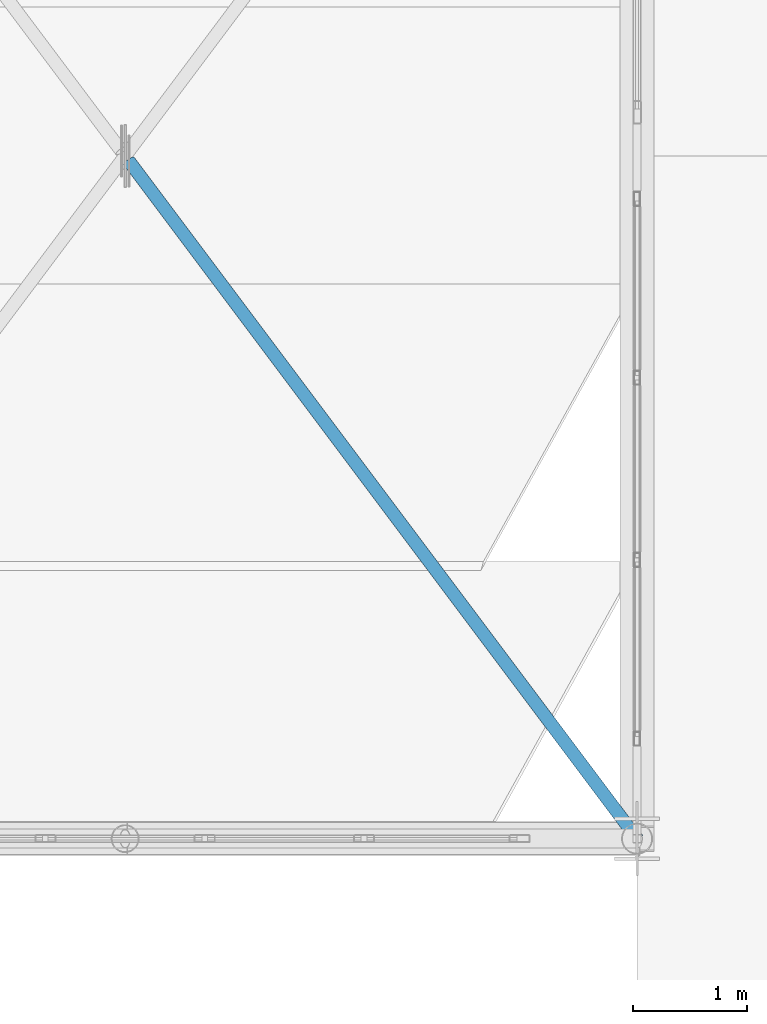
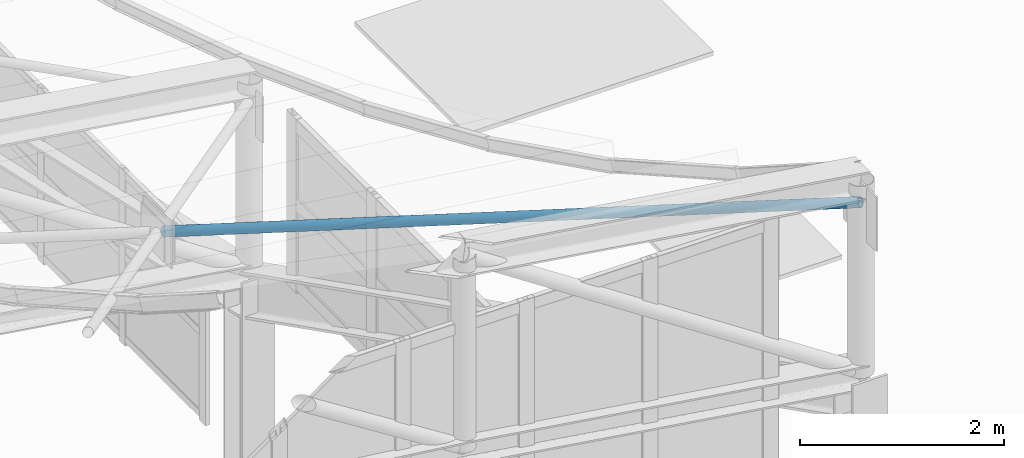
# One storey, part 70 of 262: 1 member.
"""IFC4 building model written with IfcOpenShell, lengths in metres."""

from ifc_helpers import new_model, si_unit, derived_unit, direction, frame, origin, origin_2d, place, context, subcontext, project, spatial, hollow_circle, extrude, material, material_profile, profile_set, type_object, element, save


model = new_model("IFC4")

# Units and contexts
model_context = context("Model", 3, precision=1e-05, world=origin(), true_north=direction((0.0, 1.0)))
body_context = subcontext(model_context, "Body", "Model", "MODEL_VIEW")
ifc_project = project(units=[si_unit("LENGTHUNIT", "METRE"), si_unit("AREAUNIT", "SQUARE_METRE"), si_unit("VOLUMEUNIT", "CUBIC_METRE"), si_unit("PLANEANGLEUNIT", "RADIAN"), si_unit("MASSUNIT", "GRAM", prefix="KILO"), derived_unit("THERMALTRANSMITTANCEUNIT", [(si_unit("POWERUNIT", "WATT"), 1), (si_unit("LENGTHUNIT", "METRE"), -2), (si_unit("THERMODYNAMICTEMPERATUREUNIT", "KELVIN"), -1)])], contexts=[model_context])

# Site, building, storey
site_placement = place(None, origin())
site = spatial("IfcSite", under=ifc_project, at=site_placement, CompositionType="ELEMENT")
building_placement = place(site_placement, origin())
building = spatial("IfcBuilding", under=site, at=building_placement, Name="Almenara Railside Exhibition Hall", CompositionType="ELEMENT")
storey_placement = place(building_placement, frame((0.0, 0.0, 21.699951171875)))
storey = spatial("IfcBuildingStorey", under=building, at=storey_placement, Name="RF", CompositionType="ELEMENT", Elevation=21.699951171875)

# Member
ifc_material = material(Name="Structural steel S355JR", Category="steel")
ifc_material_profile = material_profile(ifc_material, hollow_circle(Radius=0.05712890625, WallThickness=0.00439453125, at=origin_2d()), Name="CHS 114.3x4.5")
ifc_profile_set = profile_set([ifc_material_profile], Name="Structural steel S355JR")
member_type = type_object("IfcMemberType", Name="Roof Wind Plan X-Brace CHS 114.3x4.5 S355JR", PredefinedType="BRACE", material=ifc_profile_set)
member_placement = place(storey_placement, frame((66.0, 48.0, 8.6201171875), z_axis=(-0.571050468682, 0.761390217006, -0.306897865202), x_axis=(-0.799996063156, -0.60000524909, 0.0)))
element("IfcMember", 1, at=member_placement, inside=storey, type_object=member_type, Name="MEM-WB-V1-WB-CHS114-00-10-S1", PredefinedType="BRACE", context=body_context, shape_type="SweptSolid", body=[
    extrude(hollow_circle(Radius=0.05712890625, WallThickness=0.00439453125, at=origin_2d()), origin(), (0.0, 0.0, 1.0), 7.819091796875),
])

save(model, "model.ifc")
